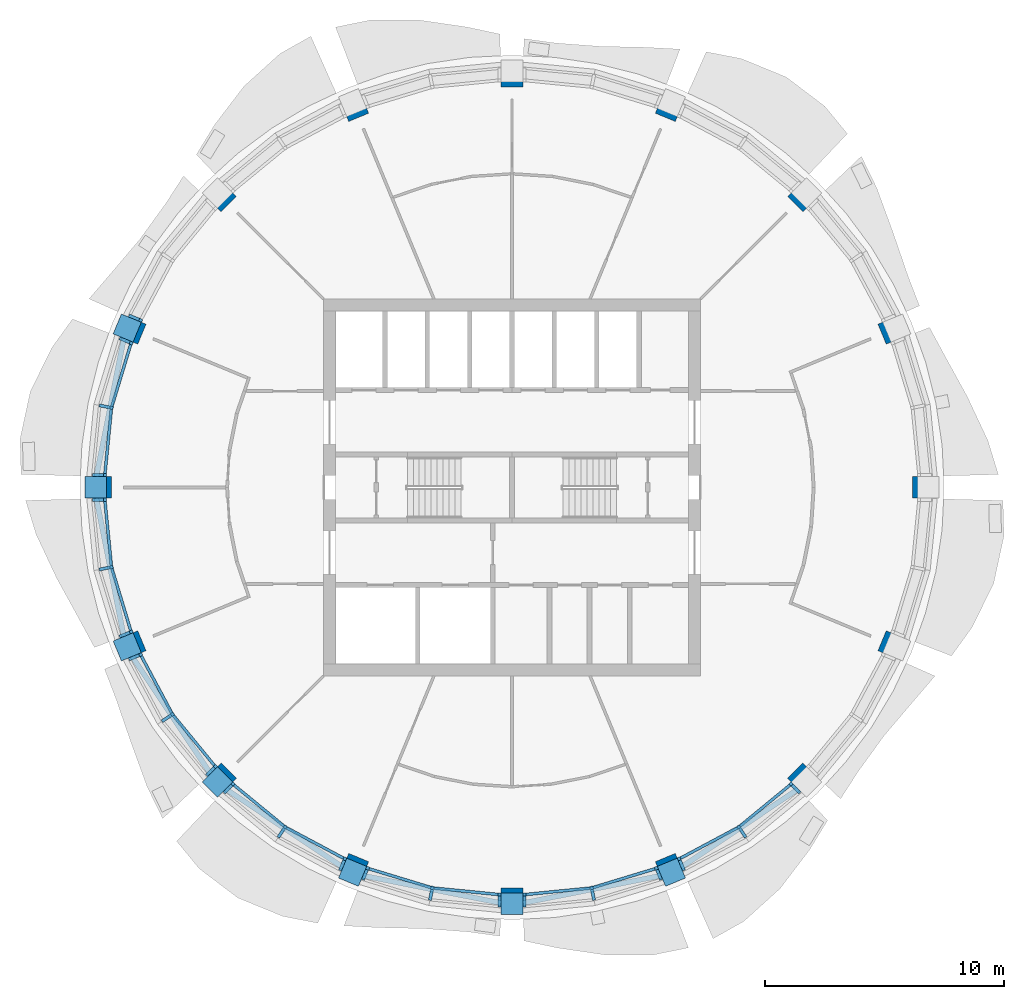
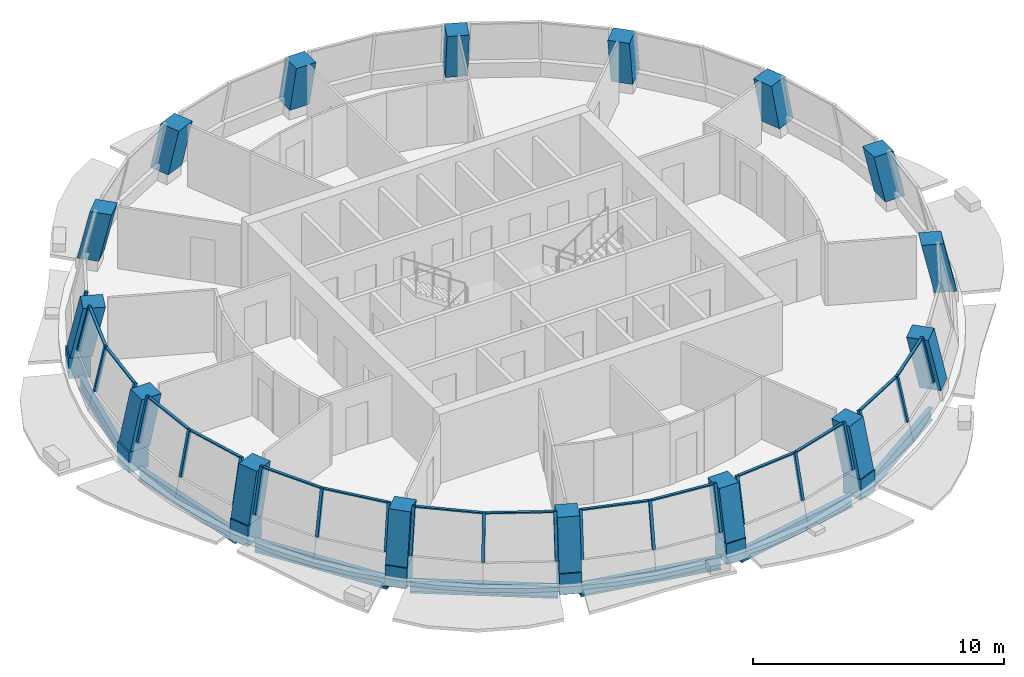
# One storey, part 1 of 11: 43 members, 16 columns, 7 beams, 8 elements without a shape of their own.
"""IFC4 building model written with IfcOpenShell, lengths in metres."""

from ifc_helpers import new_model, si_unit, direction, frame, origin, origin_2d, place, context, subcontext, project, spatial, rectangle, i_section, extrude, material, material_profile, profile_set, type_object, element, aggregate, save


model = new_model("IFC4")

# Units and contexts
model_context = context("Model", 3, precision=1e-05, world=origin(), true_north=direction((0.0, 1.0)))
body_context = subcontext(model_context, "Body", "Model", "MODEL_VIEW")
ifc_project = project(units=[si_unit("LENGTHUNIT", "METRE"), si_unit("AREAUNIT", "SQUARE_METRE"), si_unit("VOLUMEUNIT", "CUBIC_METRE"), si_unit("PLANEANGLEUNIT", "RADIAN"), si_unit("MASSUNIT", "GRAM", prefix="KILO")], contexts=[model_context])

# Site, building, storey
site_placement = place(None, origin())
site = spatial("IfcSite", under=ifc_project, at=site_placement, CompositionType="ELEMENT")
building_placement = place(site_placement, origin())
building = spatial("IfcBuilding", under=site, at=building_placement, Name="Polderwave Tower", CompositionType="ELEMENT")
storey_placement = place(building_placement, frame((0.0, 0.0, 194.35009765625)))
storey = spatial("IfcBuildingStorey", under=building, at=storey_placement, Name="L52", CompositionType="ELEMENT", Elevation=194.35009765625)

# Columns
ifc_material_1 = material(Name="Concrete C60/75", Category="concrete")
ifc_material_profile_1 = material_profile(ifc_material_1, rectangle(XDim=0.89990234375, YDim=0.89990234375, at=origin_2d()), Name="RC 900x900")
ifc_profile_set_1 = profile_set([ifc_material_profile_1], Name="Concrete C60/75")
column_type = type_object("IfcColumnType", Name="RC COLUMN 900x900 C60/75", PredefinedType="COLUMN", material=ifc_profile_set_1)
column_1_placement = place(storey_placement, frame((17.338134765625, 0.0, 0.5), z_axis=(0.0, 0.0, 1.0), x_axis=(0.0, -1.0, 0.0)))
element("IfcColumn", 1, at=column_1_placement, inside=storey, type_object=column_type, Name="Ring column 01", PredefinedType="COLUMN", context=body_context, shape_type="SweptSolid", body=[
    extrude(rectangle(XDim=0.89990234375, YDim=0.89990234375, at=origin_2d()), origin(), (0.0, -0.218486754796, 0.975839914114), 2.407958984375),
])
column_2_placement = place(storey_placement, frame((16.018310546875, 6.635009765625, 0.5), z_axis=(0.0, 0.0, 1.0), x_axis=(0.382802560388, -0.92383017907, 0.0)))
element("IfcColumn", 2, at=column_2_placement, inside=storey, type_object=column_type, Name="Ring column 02", PredefinedType="COLUMN", context=body_context, shape_type="SweptSolid", body=[
    extrude(rectangle(XDim=0.89990234375, YDim=0.89990234375, at=origin_2d()), origin(), (0.0, -0.218502008898, 0.975836498655), 2.407958984375),
])
column_3_placement = place(storey_placement, frame((12.259765625, 12.259765625, 0.5), z_axis=(0.0, 0.0, 1.0), x_axis=(0.707106781187, -0.707106781187, 0.0)))
element("IfcColumn", 3, at=column_3_placement, inside=storey, type_object=column_type, Name="Ring column 03", PredefinedType="COLUMN", context=body_context, shape_type="SweptSolid", body=[
    extrude(rectangle(XDim=0.89990234375, YDim=0.89990234375, at=origin_2d()), origin(), (0.0, -0.218375457481, 0.975864826485), 2.407958984375),
])
column_4_placement = place(storey_placement, frame((6.635009765625, 16.018310546875, 0.5), z_axis=(0.0, 0.0, 1.0), x_axis=(0.92383017907, -0.382802560388, 0.0)))
element("IfcColumn", 4, at=column_4_placement, inside=storey, type_object=column_type, Name="Ring column 04", PredefinedType="COLUMN", context=body_context, shape_type="SweptSolid", body=[
    extrude(rectangle(XDim=0.89990234375, YDim=0.89990234375, at=origin_2d()), origin(), (0.0, -0.218502008898, 0.975836498655), 2.407958984375),
])
column_5_placement = place(storey_placement, frame((0.0, 17.338134765625, 0.5), z_axis=(0.0, 0.0, 1.0), x_axis=(1.0, 0.0, 0.0)))
element("IfcColumn", 5, at=column_5_placement, inside=storey, type_object=column_type, Name="Ring column 05", PredefinedType="COLUMN", context=body_context, shape_type="SweptSolid", body=[
    extrude(rectangle(XDim=0.89990234375, YDim=0.89990234375, at=origin_2d()), origin(), (0.0, -0.218486754796, 0.975839914114), 2.407958984375),
])
column_6_placement = place(storey_placement, frame((-6.635009765625, 16.018310546875, 0.5), z_axis=(0.0, 0.0, 1.0), x_axis=(0.92383017907, 0.382802560388, 0.0)))
element("IfcColumn", 6, at=column_6_placement, inside=storey, type_object=column_type, Name="Ring column 06", PredefinedType="COLUMN", context=body_context, shape_type="SweptSolid", body=[
    extrude(rectangle(XDim=0.89990234375, YDim=0.89990234375, at=origin_2d()), origin(), (0.0, -0.218502008898, 0.975836498655), 2.407958984375),
])
column_7_placement = place(storey_placement, frame((-12.259765625, 12.259765625, 0.5), z_axis=(0.0, 0.0, 1.0), x_axis=(0.707106781187, 0.707106781187, 0.0)))
element("IfcColumn", 7, at=column_7_placement, inside=storey, type_object=column_type, Name="Ring column 07", PredefinedType="COLUMN", context=body_context, shape_type="SweptSolid", body=[
    extrude(rectangle(XDim=0.89990234375, YDim=0.89990234375, at=origin_2d()), origin(), (0.0, -0.218375457481, 0.975864826485), 2.407958984375),
])
column_8_placement = place(storey_placement, frame((-16.018310546875, 6.635009765625, 0.5), z_axis=(0.0, 0.0, 1.0), x_axis=(0.382802560388, 0.92383017907, 0.0)))
element("IfcColumn", 8, at=column_8_placement, inside=storey, type_object=column_type, Name="Ring column 08", PredefinedType="COLUMN", context=body_context, shape_type="SweptSolid", body=[
    extrude(rectangle(XDim=0.89990234375, YDim=0.89990234375, at=origin_2d()), origin(), (0.0, -0.218502008898, 0.975836498655), 2.407958984375),
])
column_9_placement = place(storey_placement, frame((-17.338134765625, 0.0, 0.5), z_axis=(0.0, 0.0, 1.0), x_axis=(0.0, 1.0, 0.0)))
element("IfcColumn", 9, at=column_9_placement, inside=storey, type_object=column_type, Name="Ring column 09", PredefinedType="COLUMN", context=body_context, shape_type="SweptSolid", body=[
    extrude(rectangle(XDim=0.89990234375, YDim=0.89990234375, at=origin_2d()), origin(), (0.0, -0.218486754796, 0.975839914114), 2.407958984375),
])
column_10_placement = place(storey_placement, frame((-16.018310546875, -6.635009765625, 0.5), z_axis=(0.0, 0.0, 1.0), x_axis=(-0.382802560388, 0.92383017907, 0.0)))
element("IfcColumn", 10, at=column_10_placement, inside=storey, type_object=column_type, Name="Ring column 10", PredefinedType="COLUMN", context=body_context, shape_type="SweptSolid", body=[
    extrude(rectangle(XDim=0.89990234375, YDim=0.89990234375, at=origin_2d()), origin(), (0.0, -0.218502008898, 0.975836498655), 2.407958984375),
])
column_11_placement = place(storey_placement, frame((-12.259765625, -12.259765625, 0.5), z_axis=(0.0, 0.0, 1.0), x_axis=(-0.707106781187, 0.707106781187, 0.0)))
element("IfcColumn", 11, at=column_11_placement, inside=storey, type_object=column_type, Name="Ring column 11", PredefinedType="COLUMN", context=body_context, shape_type="SweptSolid", body=[
    extrude(rectangle(XDim=0.89990234375, YDim=0.89990234375, at=origin_2d()), origin(), (0.0, -0.218375457481, 0.975864826485), 2.407958984375),
])
column_12_placement = place(storey_placement, frame((-6.635009765625, -16.018310546875, 0.5), z_axis=(0.0, 0.0, 1.0), x_axis=(-0.92383017907, 0.382802560388, 0.0)))
element("IfcColumn", 12, at=column_12_placement, inside=storey, type_object=column_type, Name="Ring column 12", PredefinedType="COLUMN", context=body_context, shape_type="SweptSolid", body=[
    extrude(rectangle(XDim=0.89990234375, YDim=0.89990234375, at=origin_2d()), origin(), (0.0, -0.218502008898, 0.975836498655), 2.407958984375),
])
column_13_placement = place(storey_placement, frame((0.0, -17.338134765625, 0.5), z_axis=(0.0, 0.0, 1.0), x_axis=(-1.0, 0.0, 0.0)))
element("IfcColumn", 13, at=column_13_placement, inside=storey, type_object=column_type, Name="Ring column 13", PredefinedType="COLUMN", context=body_context, shape_type="SweptSolid", body=[
    extrude(rectangle(XDim=0.89990234375, YDim=0.89990234375, at=origin_2d()), origin(), (0.0, -0.218486754796, 0.975839914114), 2.407958984375),
])
column_14_placement = place(storey_placement, frame((6.635009765625, -16.018310546875, 0.5), z_axis=(0.0, 0.0, 1.0), x_axis=(-0.92383017907, -0.382802560388, 0.0)))
element("IfcColumn", 14, at=column_14_placement, inside=storey, type_object=column_type, Name="Ring column 14", PredefinedType="COLUMN", context=body_context, shape_type="SweptSolid", body=[
    extrude(rectangle(XDim=0.89990234375, YDim=0.89990234375, at=origin_2d()), origin(), (0.0, -0.218502008898, 0.975836498655), 2.407958984375),
])
column_15_placement = place(storey_placement, frame((12.259765625, -12.259765625, 0.5), z_axis=(0.0, 0.0, 1.0), x_axis=(-0.707106781187, -0.707106781187, 0.0)))
element("IfcColumn", 15, at=column_15_placement, inside=storey, type_object=column_type, Name="Ring column 15", PredefinedType="COLUMN", context=body_context, shape_type="SweptSolid", body=[
    extrude(rectangle(XDim=0.89990234375, YDim=0.89990234375, at=origin_2d()), origin(), (0.0, -0.218375457481, 0.975864826485), 2.407958984375),
])
column_16_placement = place(storey_placement, frame((16.018310546875, -6.635009765625, 0.5), z_axis=(0.0, 0.0, 1.0), x_axis=(-0.382802560388, -0.92383017907, 0.0)))
element("IfcColumn", 16, at=column_16_placement, inside=storey, type_object=column_type, Name="Ring column 16", PredefinedType="COLUMN", context=body_context, shape_type="SweptSolid", body=[
    extrude(rectangle(XDim=0.89990234375, YDim=0.89990234375, at=origin_2d()), origin(), (0.0, -0.218502008898, 0.975836498655), 2.407958984375),
])

# Curtain wall, member
ifc_material_2 = material(Name="Aluminium 6063-T6 and glass", Category="aluminium")
curtain_wall_type = type_object("IfcCurtainWallType", Name="Office ribbon glazing, leaning storey wall", PredefinedType="NOTDEFINED", material=ifc_material_2)
curtain_wall_1_placement = place(storey_placement, origin())
curtain_wall_1 = element("IfcCurtainWall", 17, at=curtain_wall_1_placement, inside=storey, type_object=curtain_wall_type, Name="CW9 L52 06", PredefinedType="NOTDEFINED")
ifc_material_3 = material(Name="Aluminium 6063-T6", Category="aluminium")
ifc_material_profile_2 = material_profile(ifc_material_3, rectangle(XDim=0.1298828125, YDim=0.139892578125, at=origin_2d()), Name="AL 130x140")
ifc_profile_set_2 = profile_set([ifc_material_profile_2], Name="Aluminium 6063-T6")
member_type_1 = type_object("IfcMemberType", Name="Office ribbon glazing, leaning storey mullion 130x140", PredefinedType="MULLION", material=ifc_profile_set_2)
member_1_placement = place(storey_placement, frame((-15.931884765625, 7.15625, 0.89990234375), z_axis=(0.197058960826, -0.081435893321, 0.977003562551), x_axis=(0.381928316135, 0.924191950481, 0.0)))
member_1 = element("IfcMember", 18, at=member_1_placement, type_object=member_type_1, Name="CW9 mullion 3", PredefinedType="MULLION", context=body_context, shape_type="SweptSolid", body=[
    extrude(rectangle(XDim=0.1298828125, YDim=0.139892578125, at=origin_2d()), origin(), (0.0, 0.0, 1.0), 2.1494140625),
])
aggregate(curtain_wall_1, [member_1])

# Curtain wall, members
curtain_wall_2_placement = place(storey_placement, origin())
curtain_wall_2 = element("IfcCurtainWall", 19, at=curtain_wall_2_placement, inside=storey, type_object=curtain_wall_type, Name="CW9 L52 07", PredefinedType="NOTDEFINED")
member_2_placement = place(storey_placement, frame((-16.325439453125, 6.20556640625, 0.89990234375), z_axis=(0.197053481596, -0.081774355475, 0.97697639694), x_axis=(0.383291989612, 0.923627224967, 0.0)))
member_2 = element("IfcMember", 20, at=member_2_placement, type_object=member_type_1, Name="CW9 mullion 1", PredefinedType="MULLION", context=body_context, shape_type="SweptSolid", body=[
    extrude(rectangle(XDim=0.1298828125, YDim=0.139892578125, at=origin_2d()), origin(), (0.0, 0.0, 1.0), 2.149658203125),
])
member_3_placement = place(storey_placement, frame((-17.172119140625, 3.41552734375, 0.89990234375), z_axis=(0.20942456595, -0.04168048574, 0.976936071749), x_axis=(0.195195508177, 0.980764351711, 0.0)))
member_3 = element("IfcMember", 21, at=member_3_placement, type_object=member_type_1, Name="CW9 mullion 2", PredefinedType="MULLION", context=body_context, shape_type="SweptSolid", body=[
    extrude(rectangle(XDim=0.1298828125, YDim=0.139892578125, at=origin_2d()), origin(), (0.0, 0.0, 1.0), 2.149658203125),
])
member_4_placement = place(storey_placement, frame((-17.4580078125, 0.5146484375, 0.89990234375), z_axis=(0.213297172308, 0.0, 0.976987367516), x_axis=(0.0, 1.0, 0.0)))
member_4 = element("IfcMember", 22, at=member_4_placement, type_object=member_type_1, Name="CW9 mullion 3", PredefinedType="MULLION", context=body_context, shape_type="SweptSolid", body=[
    extrude(rectangle(XDim=0.1298828125, YDim=0.139892578125, at=origin_2d()), origin(), (0.0, 0.0, 1.0), 2.149658203125),
])

curtain_wall_3_placement = place(storey_placement, origin())
curtain_wall_3 = element("IfcCurtainWall", 23, at=curtain_wall_3_placement, inside=storey, type_object=curtain_wall_type, Name="CW9 L52 08", PredefinedType="NOTDEFINED")
member_5_placement = place(storey_placement, frame((-17.4580078125, -0.5146484375, 0.89990234375), z_axis=(0.213297172308, 0.0, 0.976987367516), x_axis=(0.0, 1.0, 0.0)))
member_5 = element("IfcMember", 24, at=member_5_placement, type_object=member_type_1, Name="CW9 mullion 1", PredefinedType="MULLION", context=body_context, shape_type="SweptSolid", body=[
    extrude(rectangle(XDim=0.1298828125, YDim=0.139892578125, at=origin_2d()), origin(), (0.0, 0.0, 1.0), 2.149658203125),
])
member_6_placement = place(storey_placement, frame((-17.172119140625, -3.41552734375, 0.89990234375), z_axis=(0.20942456595, 0.04168048574, 0.976936071749), x_axis=(-0.195195508177, 0.980764351711, 0.0)))
member_6 = element("IfcMember", 25, at=member_6_placement, type_object=member_type_1, Name="CW9 mullion 2", PredefinedType="MULLION", context=body_context, shape_type="SweptSolid", body=[
    extrude(rectangle(XDim=0.1298828125, YDim=0.139892578125, at=origin_2d()), origin(), (0.0, 0.0, 1.0), 2.149658203125),
])
member_7_placement = place(storey_placement, frame((-16.325439453125, -6.20556640625, 0.89990234375), z_axis=(0.197053481596, 0.081774355475, 0.97697639694), x_axis=(-0.383291989612, 0.923627224967, 0.0)))
member_7 = element("IfcMember", 26, at=member_7_placement, type_object=member_type_1, Name="CW9 mullion 3", PredefinedType="MULLION", context=body_context, shape_type="SweptSolid", body=[
    extrude(rectangle(XDim=0.1298828125, YDim=0.139892578125, at=origin_2d()), origin(), (0.0, 0.0, 1.0), 2.149658203125),
])

curtain_wall_4_placement = place(storey_placement, origin())
curtain_wall_4 = element("IfcCurtainWall", 27, at=curtain_wall_4_placement, inside=storey, type_object=curtain_wall_type, Name="CW9 L52 09", PredefinedType="NOTDEFINED")
member_8_placement = place(storey_placement, frame((-15.931884765625, -7.15625, 0.89990234375), z_axis=(0.197058960826, 0.081435893321, 0.977003562551), x_axis=(-0.381928316135, 0.924191950481, 0.0)))
member_8 = element("IfcMember", 28, at=member_8_placement, type_object=member_type_1, Name="CW9 mullion 1", PredefinedType="MULLION", context=body_context, shape_type="SweptSolid", body=[
    extrude(rectangle(XDim=0.1298828125, YDim=0.139892578125, at=origin_2d()), origin(), (0.0, 0.0, 1.0), 2.1494140625),
])
member_9_placement = place(storey_placement, frame((-14.557861328125, -9.726806640625, 0.89990234375), z_axis=(0.177183585901, 0.118576707487, 0.977008465331), x_axis=(-0.556174588481, 0.83106547704, 0.0)))
member_9 = element("IfcMember", 29, at=member_9_placement, type_object=member_type_1, Name="CW9 mullion 2", PredefinedType="MULLION", context=body_context, shape_type="SweptSolid", body=[
    extrude(rectangle(XDim=0.1298828125, YDim=0.139892578125, at=origin_2d()), origin(), (0.0, 0.0, 1.0), 2.1494140625),
])
member_10_placement = place(storey_placement, frame((-12.708251953125, -11.98095703125, 0.89990234375), z_axis=(0.150718677446, 0.150832255952, 0.97700230851), x_axis=(-0.707373061249, 0.706840400811, 0.0)))
member_10 = element("IfcMember", 30, at=member_10_placement, type_object=member_type_1, Name="CW9 mullion 3", PredefinedType="MULLION", context=body_context, shape_type="SweptSolid", body=[
    extrude(rectangle(XDim=0.1298828125, YDim=0.139892578125, at=origin_2d()), origin(), (0.0, 0.0, 1.0), 2.1494140625),
])

curtain_wall_5_placement = place(storey_placement, origin())
curtain_wall_5 = element("IfcCurtainWall", 31, at=curtain_wall_5_placement, inside=storey, type_object=curtain_wall_type, Name="CW9 L52 10", PredefinedType="NOTDEFINED")
member_11_placement = place(storey_placement, frame((-11.98095703125, -12.708251953125, 0.89990234375), z_axis=(0.150832255952, 0.150718677446, 0.97700230851), x_axis=(-0.706840400811, 0.707373061249, 0.0)))
member_11 = element("IfcMember", 32, at=member_11_placement, type_object=member_type_1, Name="CW9 mullion 1", PredefinedType="MULLION", context=body_context, shape_type="SweptSolid", body=[
    extrude(rectangle(XDim=0.1298828125, YDim=0.139892578125, at=origin_2d()), origin(), (0.0, 0.0, 1.0), 2.1494140625),
])
member_12_placement = place(storey_placement, frame((-9.726806640625, -14.557861328125, 0.89990234375), z_axis=(0.118576707487, 0.177183585901, 0.977008465331), x_axis=(-0.83106547704, 0.556174588481, 0.0)))
member_12 = element("IfcMember", 33, at=member_12_placement, type_object=member_type_1, Name="CW9 mullion 2", PredefinedType="MULLION", context=body_context, shape_type="SweptSolid", body=[
    extrude(rectangle(XDim=0.1298828125, YDim=0.139892578125, at=origin_2d()), origin(), (0.0, 0.0, 1.0), 2.1494140625),
])
member_13_placement = place(storey_placement, frame((-7.15625, -15.931884765625, 0.89990234375), z_axis=(0.081435893321, 0.197058960826, 0.977003562551), x_axis=(-0.924191950481, 0.381928316135, 0.0)))
member_13 = element("IfcMember", 34, at=member_13_placement, type_object=member_type_1, Name="CW9 mullion 3", PredefinedType="MULLION", context=body_context, shape_type="SweptSolid", body=[
    extrude(rectangle(XDim=0.1298828125, YDim=0.139892578125, at=origin_2d()), origin(), (0.0, 0.0, 1.0), 2.1494140625),
])

curtain_wall_6_placement = place(storey_placement, origin())
curtain_wall_6 = element("IfcCurtainWall", 35, at=curtain_wall_6_placement, inside=storey, type_object=curtain_wall_type, Name="CW9 L52 11", PredefinedType="NOTDEFINED")
member_14_placement = place(storey_placement, frame((-6.20556640625, -16.325439453125, 0.89990234375), z_axis=(0.081774355475, 0.197053481596, 0.97697639694), x_axis=(-0.923627224967, 0.383291989612, 0.0)))
member_14 = element("IfcMember", 36, at=member_14_placement, type_object=member_type_1, Name="CW9 mullion 1", PredefinedType="MULLION", context=body_context, shape_type="SweptSolid", body=[
    extrude(rectangle(XDim=0.1298828125, YDim=0.139892578125, at=origin_2d()), origin(), (0.0, 0.0, 1.0), 2.149658203125),
])
member_15_placement = place(storey_placement, frame((-3.41552734375, -17.172119140625, 0.89990234375), z_axis=(0.04168048574, 0.20942456595, 0.976936071749), x_axis=(-0.980764351711, 0.195195508177, 0.0)))
member_15 = element("IfcMember", 37, at=member_15_placement, type_object=member_type_1, Name="CW9 mullion 2", PredefinedType="MULLION", context=body_context, shape_type="SweptSolid", body=[
    extrude(rectangle(XDim=0.1298828125, YDim=0.139892578125, at=origin_2d()), origin(), (0.0, 0.0, 1.0), 2.149658203125),
])
member_16_placement = place(storey_placement, frame((-0.5146484375, -17.4580078125, 0.89990234375), z_axis=(0.0, 0.213297172308, 0.976987367516), x_axis=(-1.0, 0.0, 0.0)))
member_16 = element("IfcMember", 38, at=member_16_placement, type_object=member_type_1, Name="CW9 mullion 3", PredefinedType="MULLION", context=body_context, shape_type="SweptSolid", body=[
    extrude(rectangle(XDim=0.1298828125, YDim=0.139892578125, at=origin_2d()), origin(), (0.0, 0.0, 1.0), 2.149658203125),
])

curtain_wall_7_placement = place(storey_placement, origin())
curtain_wall_7 = element("IfcCurtainWall", 39, at=curtain_wall_7_placement, inside=storey, type_object=curtain_wall_type, Name="CW9 L52 12", PredefinedType="NOTDEFINED")
member_17_placement = place(storey_placement, frame((0.5146484375, -17.4580078125, 0.89990234375), z_axis=(0.0, 0.213297172308, 0.976987367516), x_axis=(-1.0, 0.0, 0.0)))
member_17 = element("IfcMember", 40, at=member_17_placement, type_object=member_type_1, Name="CW9 mullion 1", PredefinedType="MULLION", context=body_context, shape_type="SweptSolid", body=[
    extrude(rectangle(XDim=0.1298828125, YDim=0.139892578125, at=origin_2d()), origin(), (0.0, 0.0, 1.0), 2.149658203125),
])
member_18_placement = place(storey_placement, frame((3.41552734375, -17.172119140625, 0.89990234375), z_axis=(-0.04168048574, 0.20942456595, 0.976936071749), x_axis=(-0.980764351711, -0.195195508177, 0.0)))
member_18 = element("IfcMember", 41, at=member_18_placement, type_object=member_type_1, Name="CW9 mullion 2", PredefinedType="MULLION", context=body_context, shape_type="SweptSolid", body=[
    extrude(rectangle(XDim=0.1298828125, YDim=0.139892578125, at=origin_2d()), origin(), (0.0, 0.0, 1.0), 2.149658203125),
])
member_19_placement = place(storey_placement, frame((6.20556640625, -16.325439453125, 0.89990234375), z_axis=(-0.081774355475, 0.197053481596, 0.97697639694), x_axis=(-0.923627224967, -0.383291989612, 0.0)))
member_19 = element("IfcMember", 42, at=member_19_placement, type_object=member_type_1, Name="CW9 mullion 3", PredefinedType="MULLION", context=body_context, shape_type="SweptSolid", body=[
    extrude(rectangle(XDim=0.1298828125, YDim=0.139892578125, at=origin_2d()), origin(), (0.0, 0.0, 1.0), 2.149658203125),
])

curtain_wall_8_placement = place(storey_placement, origin())
curtain_wall_8 = element("IfcCurtainWall", 43, at=curtain_wall_8_placement, inside=storey, type_object=curtain_wall_type, Name="CW9 L52 13", PredefinedType="NOTDEFINED")
member_20_placement = place(storey_placement, frame((7.15625, -15.931884765625, 0.89990234375), z_axis=(-0.081435893321, 0.197058960826, 0.977003562551), x_axis=(-0.924191950481, -0.381928316135, 0.0)))
member_20 = element("IfcMember", 44, at=member_20_placement, type_object=member_type_1, Name="CW9 mullion 1", PredefinedType="MULLION", context=body_context, shape_type="SweptSolid", body=[
    extrude(rectangle(XDim=0.1298828125, YDim=0.139892578125, at=origin_2d()), origin(), (0.0, 0.0, 1.0), 2.1494140625),
])
member_21_placement = place(storey_placement, frame((9.726806640625, -14.557861328125, 0.89990234375), z_axis=(-0.118576707487, 0.177183585901, 0.977008465331), x_axis=(-0.83106547704, -0.556174588481, 0.0)))
member_21 = element("IfcMember", 45, at=member_21_placement, type_object=member_type_1, Name="CW9 mullion 2", PredefinedType="MULLION", context=body_context, shape_type="SweptSolid", body=[
    extrude(rectangle(XDim=0.1298828125, YDim=0.139892578125, at=origin_2d()), origin(), (0.0, 0.0, 1.0), 2.1494140625),
])
member_22_placement = place(storey_placement, frame((11.98095703125, -12.708251953125, 0.89990234375), z_axis=(-0.150832255952, 0.150718677446, 0.97700230851), x_axis=(-0.706840400811, -0.707373061249, 0.0)))
member_22 = element("IfcMember", 46, at=member_22_placement, type_object=member_type_1, Name="CW9 mullion 3", PredefinedType="MULLION", context=body_context, shape_type="SweptSolid", body=[
    extrude(rectangle(XDim=0.1298828125, YDim=0.139892578125, at=origin_2d()), origin(), (0.0, 0.0, 1.0), 2.1494140625),
])

# Member
ifc_material_profile_3 = material_profile(ifc_material_3, rectangle(XDim=0.1201171875, YDim=0.06005859375, at=origin_2d()), Name="AL 60x120")
ifc_profile_set_3 = profile_set([ifc_material_profile_3], Name="Aluminium 6063-T6")
member_type_2 = type_object("IfcMemberType", Name="Office ribbon glazing, leaning storey transom 60x120", PredefinedType="USERDEFINED", material=ifc_profile_set_3)
member_23_placement = place(storey_placement, frame((-15.9267578125, 5.97021484375, 2.969970703125), z_axis=(-0.290311386939, -0.956932233031, 0.0), x_axis=(0.956932233031, -0.290311386939, 0.0)))
member_23 = element("IfcMember", 47, at=member_23_placement, type_object=member_type_2, Name="CW9 transom 1", ObjectType="TRANSOM", PredefinedType="USERDEFINED", context=body_context, shape_type="SweptSolid", body=[
    extrude(rectangle(XDim=0.1201171875, YDim=0.06005859375, at=origin_2d()), origin(), (0.0, 0.0, 1.0), 2.697021484375),
])

member_24_placement = place(storey_placement, frame((-16.73486328125, 3.2626953125, 2.969970703125), z_axis=(-0.098239616656, -0.995162789557, 0.0), x_axis=(0.995162789557, -0.098239616656, 0.0)))
member_24 = element("IfcMember", 48, at=member_24_placement, type_object=member_type_2, Name="CW9 transom 2", ObjectType="TRANSOM", PredefinedType="USERDEFINED", context=body_context, shape_type="SweptSolid", body=[
    extrude(rectangle(XDim=0.1201171875, YDim=0.06005859375, at=origin_2d()), origin(), (0.0, 0.0, 1.0), 2.6962890625),
])

aggregate(curtain_wall_2, [member_2, member_3, member_4, member_23, member_24])

member_25_placement = place(storey_placement, frame((-16.999755859375, -0.579345703125, 2.969970703125), z_axis=(0.098239616656, -0.995162789557, 0.0), x_axis=(0.995162789557, 0.098239616656, 0.0)))
member_25 = element("IfcMember", 49, at=member_25_placement, type_object=member_type_2, Name="CW9 transom 1", ObjectType="TRANSOM", PredefinedType="USERDEFINED", context=body_context, shape_type="SweptSolid", body=[
    extrude(rectangle(XDim=0.1201171875, YDim=0.06005859375, at=origin_2d()), origin(), (0.0, 0.0, 1.0), 2.6962890625),
])

member_26_placement = place(storey_placement, frame((-16.709716796875, -3.389404296875, 2.969970703125), z_axis=(0.290311386939, -0.956932233031, 0.0), x_axis=(0.956932233031, 0.290311386939, 0.0)))
member_26 = element("IfcMember", 50, at=member_26_placement, type_object=member_type_2, Name="CW9 transom 2", ObjectType="TRANSOM", PredefinedType="USERDEFINED", context=body_context, shape_type="SweptSolid", body=[
    extrude(rectangle(XDim=0.1201171875, YDim=0.06005859375, at=origin_2d()), origin(), (0.0, 0.0, 1.0), 2.697021484375),
])

aggregate(curtain_wall_3, [member_5, member_6, member_7, member_25, member_26])

member_27_placement = place(storey_placement, frame((-15.48388671875, -7.041015625, 2.969970703125), z_axis=(0.471429498717, -0.88190375197, 0.0), x_axis=(0.88190375197, 0.471429498717, 0.0)))
member_27 = element("IfcMember", 51, at=member_27_placement, type_object=member_type_2, Name="CW9 transom 1", ObjectType="TRANSOM", PredefinedType="USERDEFINED", context=body_context, shape_type="SweptSolid", body=[
    extrude(rectangle(XDim=0.1201171875, YDim=0.06005859375, at=origin_2d()), origin(), (0.0, 0.0, 1.0), 2.695556640625),
])

member_28_placement = place(storey_placement, frame((-14.14111328125, -9.52587890625, 2.969970703125), z_axis=(0.634316611678, -0.773073370483, 0.0), x_axis=(0.773073370483, 0.634316611678, 0.0)))
member_28 = element("IfcMember", 52, at=member_28_placement, type_object=member_type_2, Name="CW9 transom 2", ObjectType="TRANSOM", PredefinedType="USERDEFINED", context=body_context, shape_type="SweptSolid", body=[
    extrude(rectangle(XDim=0.1201171875, YDim=0.06005859375, at=origin_2d()), origin(), (0.0, 0.0, 1.0), 2.697265625),
])

aggregate(curtain_wall_4, [member_8, member_9, member_10, member_27, member_28])

member_29_placement = place(storey_placement, frame((-11.611083984375, -12.43017578125, 2.969970703125), z_axis=(0.773073370483, -0.634316611678, 0.0), x_axis=(0.634316611678, 0.773073370483, 0.0)))
member_29 = element("IfcMember", 53, at=member_29_placement, type_object=member_type_2, Name="CW9 transom 1", ObjectType="TRANSOM", PredefinedType="USERDEFINED", context=body_context, shape_type="SweptSolid", body=[
    extrude(rectangle(XDim=0.1201171875, YDim=0.06005859375, at=origin_2d()), origin(), (0.0, 0.0, 1.0), 2.697265625),
])

member_30_placement = place(storey_placement, frame((-9.418212890625, -14.213134765625, 2.969970703125), z_axis=(0.88190375197, -0.471429498717, 0.0), x_axis=(0.471429498717, 0.88190375197, 0.0)))
member_30 = element("IfcMember", 54, at=member_30_placement, type_object=member_type_2, Name="CW9 transom 2", ObjectType="TRANSOM", PredefinedType="USERDEFINED", context=body_context, shape_type="SweptSolid", body=[
    extrude(rectangle(XDim=0.1201171875, YDim=0.06005859375, at=origin_2d()), origin(), (0.0, 0.0, 1.0), 2.695556640625),
])

aggregate(curtain_wall_5, [member_11, member_12, member_13, member_29, member_30])

member_31_placement = place(storey_placement, frame((-5.97021484375, -15.9267578125, 2.969970703125), z_axis=(0.956932233031, -0.290311386939, 0.0), x_axis=(0.290311386939, 0.956932233031, 0.0)))
member_31 = element("IfcMember", 55, at=member_31_placement, type_object=member_type_2, Name="CW9 transom 1", ObjectType="TRANSOM", PredefinedType="USERDEFINED", context=body_context, shape_type="SweptSolid", body=[
    extrude(rectangle(XDim=0.1201171875, YDim=0.06005859375, at=origin_2d()), origin(), (0.0, 0.0, 1.0), 2.697021484375),
])

member_32_placement = place(storey_placement, frame((-3.2626953125, -16.73486328125, 2.969970703125), z_axis=(0.995162789557, -0.098239616656, 0.0), x_axis=(0.098239616656, 0.995162789557, 0.0)))
member_32 = element("IfcMember", 56, at=member_32_placement, type_object=member_type_2, Name="CW9 transom 2", ObjectType="TRANSOM", PredefinedType="USERDEFINED", context=body_context, shape_type="SweptSolid", body=[
    extrude(rectangle(XDim=0.1201171875, YDim=0.06005859375, at=origin_2d()), origin(), (0.0, 0.0, 1.0), 2.6962890625),
])

aggregate(curtain_wall_6, [member_14, member_15, member_16, member_31, member_32])

member_33_placement = place(storey_placement, frame((0.579345703125, -16.999755859375, 2.969970703125), z_axis=(0.995162789557, 0.098239616656, 0.0), x_axis=(-0.098239616656, 0.995162789557, 0.0)))
member_33 = element("IfcMember", 57, at=member_33_placement, type_object=member_type_2, Name="CW9 transom 1", ObjectType="TRANSOM", PredefinedType="USERDEFINED", context=body_context, shape_type="SweptSolid", body=[
    extrude(rectangle(XDim=0.1201171875, YDim=0.06005859375, at=origin_2d()), origin(), (0.0, 0.0, 1.0), 2.6962890625),
])

member_34_placement = place(storey_placement, frame((3.389404296875, -16.709716796875, 2.969970703125), z_axis=(0.956932233031, 0.290311386939, 0.0), x_axis=(-0.290311386939, 0.956932233031, 0.0)))
member_34 = element("IfcMember", 58, at=member_34_placement, type_object=member_type_2, Name="CW9 transom 2", ObjectType="TRANSOM", PredefinedType="USERDEFINED", context=body_context, shape_type="SweptSolid", body=[
    extrude(rectangle(XDim=0.1201171875, YDim=0.06005859375, at=origin_2d()), origin(), (0.0, 0.0, 1.0), 2.697021484375),
])

aggregate(curtain_wall_7, [member_17, member_18, member_19, member_33, member_34])

member_35_placement = place(storey_placement, frame((7.041015625, -15.48388671875, 2.969970703125), z_axis=(0.88190375197, 0.471429498717, 0.0), x_axis=(-0.471429498717, 0.88190375197, 0.0)))
member_35 = element("IfcMember", 59, at=member_35_placement, type_object=member_type_2, Name="CW9 transom 1", ObjectType="TRANSOM", PredefinedType="USERDEFINED", context=body_context, shape_type="SweptSolid", body=[
    extrude(rectangle(XDim=0.1201171875, YDim=0.06005859375, at=origin_2d()), origin(), (0.0, 0.0, 1.0), 2.695556640625),
])

member_36_placement = place(storey_placement, frame((9.52587890625, -14.14111328125, 2.969970703125), z_axis=(0.773073370483, 0.634316611678, 0.0), x_axis=(-0.634316611678, 0.773073370483, 0.0)))
member_36 = element("IfcMember", 60, at=member_36_placement, type_object=member_type_2, Name="CW9 transom 2", ObjectType="TRANSOM", PredefinedType="USERDEFINED", context=body_context, shape_type="SweptSolid", body=[
    extrude(rectangle(XDim=0.1201171875, YDim=0.06005859375, at=origin_2d()), origin(), (0.0, 0.0, 1.0), 2.697265625),
])

aggregate(curtain_wall_8, [member_20, member_21, member_22, member_35, member_36])

# Members
ifc_material_profile_4 = material_profile(ifc_material_1, rectangle(XDim=0.89990234375, YDim=0.89990234375, at=origin_2d()), Name="RC 900x900")
ifc_profile_set_4 = profile_set([ifc_material_profile_4], Name="Concrete C60/75")
member_type_3 = type_object("IfcMemberType", Name="RC NODE 900x900 C60/75", PredefinedType="POST", material=ifc_profile_set_4)
for number, where, z_axis, x_axis, name in (
    (61, (-16.070068359375, 6.656494140625, -0.5), (0.0, 0.0, 1.0), (-0.923879532511, 0.382683432365, 0.0), "Ring column node 08"),
    (62, (-17.39404296875, 0.0, -0.5), (0.0, 0.0, 1.0), (-1.0, 0.0, 0.0), "Ring column node 09"),
    (63, (-16.070068359375, -6.656494140625, -0.5), (0.0, 0.0, 1.0), (-0.923879532511, -0.382683432365, 0.0), "Ring column node 10"),
    (64, (-12.299560546875, -12.299560546875, -0.5), (0.0, 0.0, 1.0), (-0.707106781187, -0.707106781187, 0.0), "Ring column node 11"),
    (65, (-6.656494140625, -16.070068359375, -0.5), (0.0, 0.0, 1.0), (-0.382683432365, -0.923879532511, 0.0), "Ring column node 12"),
    (66, (0.0, -17.39404296875, -0.5), (0.0, 0.0, 1.0), (0.0, -1.0, 0.0), "Ring column node 13"),
    (67, (6.656494140625, -16.070068359375, -0.5), (0.0, 0.0, 1.0), (0.382683432365, -0.923879532511, 0.0), "Ring column node 14"),
):
    element("IfcMember", number, at=place(storey_placement, frame(where, z_axis=z_axis, x_axis=x_axis)), inside=storey, type_object=member_type_3, Name=name, PredefinedType="POST", context=body_context, shape_type="SweptSolid", body=[
        extrude(rectangle(XDim=0.89990234375, YDim=0.89990234375, at=origin_2d()), origin(), (0.0, 0.0, 1.0), 1.0),
    ])

# Beams
ifc_material_4 = material(Name="Steel S355", Category="steel")
ifc_material_profile_5 = material_profile(ifc_material_4, i_section(OverallWidth=0.219970703125, OverallDepth=0.60009765625, WebThickness=0.011962890625, FlangeThickness=0.01904296875, at=origin_2d()), Name="IPE 600")
ifc_profile_set_5 = profile_set([ifc_material_profile_5], Name="Steel S355")
beam_type = type_object("IfcBeamType", Name="RING BEAM IPE 600", PredefinedType="BEAM", material=ifc_profile_set_5)
for number, where, z_axis, x_axis, name in (
    (68, (-16.211181640625, 6.227783203125, -0.650146484375), (-0.195111845788, -0.980780998813, 0.0), (0.980780998813, -0.195111845788, 0.0), "ST-RB-L52-07"),
    (69, (-17.360595703125, -0.449951171875, -0.650146484375), (0.195111845788, -0.980780998813, 0.0), (0.980780998813, 0.195111845788, 0.0), "ST-RB-L52-08"),
):
    element("IfcBeam", number, at=place(storey_placement, frame(where, z_axis=z_axis, x_axis=x_axis)), inside=storey, type_object=beam_type, Name=name, PredefinedType="BEAM", context=body_context, shape_type="SweptSolid", body=[
        extrude(i_section(OverallWidth=0.219970703125, OverallDepth=0.60009765625, WebThickness=0.011962890625, FlangeThickness=0.01904296875, at=origin_2d()), origin(), (0.0, 0.0, 1.0), 5.89111328125),
    ])
for number, where, z_axis, x_axis, name in (
    (70, (-15.86669921875, -7.059326171875, -0.650146484375), (0.555551093196, -0.831482400805, 0.0), (0.831482400805, 0.555551093196, 0.0), "ST-RB-L52-09"),
    (71, (-11.95751953125, -12.593994140625, -0.650146484375), (0.831482400805, -0.555551093196, 0.0), (0.555551093196, 0.831482400805, 0.0), "ST-RB-L52-10"),
):
    element("IfcBeam", number, at=place(storey_placement, frame(where, z_axis=z_axis, x_axis=x_axis)), inside=storey, type_object=beam_type, Name=name, PredefinedType="BEAM", context=body_context, shape_type="SweptSolid", body=[
        extrude(i_section(OverallWidth=0.219970703125, OverallDepth=0.60009765625, WebThickness=0.011962890625, FlangeThickness=0.01904296875, at=origin_2d()), origin(), (0.0, 0.0, 1.0), 5.890869140625),
    ])
for number, where, z_axis, x_axis, name in (
    (72, (-6.227783203125, -16.211181640625, -0.650146484375), (0.980780998813, -0.195111845788, 0.0), (0.195111845788, 0.980780998813, 0.0), "ST-RB-L52-11"),
    (73, (0.449951171875, -17.360595703125, -0.650146484375), (0.980780998813, 0.195111845788, 0.0), (-0.195111845788, 0.980780998813, 0.0), "ST-RB-L52-12"),
):
    element("IfcBeam", number, at=place(storey_placement, frame(where, z_axis=z_axis, x_axis=x_axis)), inside=storey, type_object=beam_type, Name=name, PredefinedType="BEAM", context=body_context, shape_type="SweptSolid", body=[
        extrude(i_section(OverallWidth=0.219970703125, OverallDepth=0.60009765625, WebThickness=0.011962890625, FlangeThickness=0.01904296875, at=origin_2d()), origin(), (0.0, 0.0, 1.0), 5.89111328125),
    ])
beam_placement = place(storey_placement, frame((7.059326171875, -15.86669921875, -0.650146484375), z_axis=(0.831482400805, 0.555551093196, 0.0), x_axis=(-0.555551093196, 0.831482400805, 0.0)))
element("IfcBeam", 74, at=beam_placement, inside=storey, type_object=beam_type, Name="ST-RB-L52-13", PredefinedType="BEAM", context=body_context, shape_type="SweptSolid", body=[
    extrude(i_section(OverallWidth=0.219970703125, OverallDepth=0.60009765625, WebThickness=0.011962890625, FlangeThickness=0.01904296875, at=origin_2d()), origin(), (0.0, 0.0, 1.0), 5.890869140625),
])

save(model, "model.ifc")
